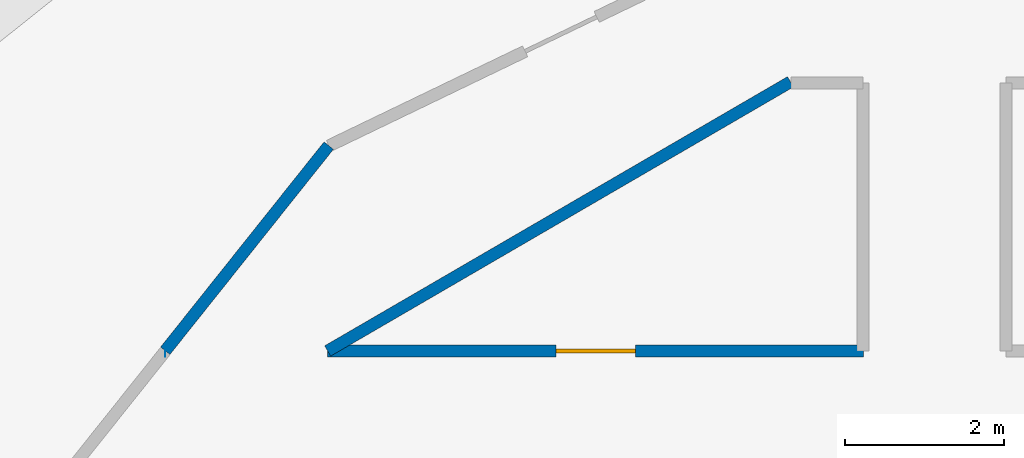
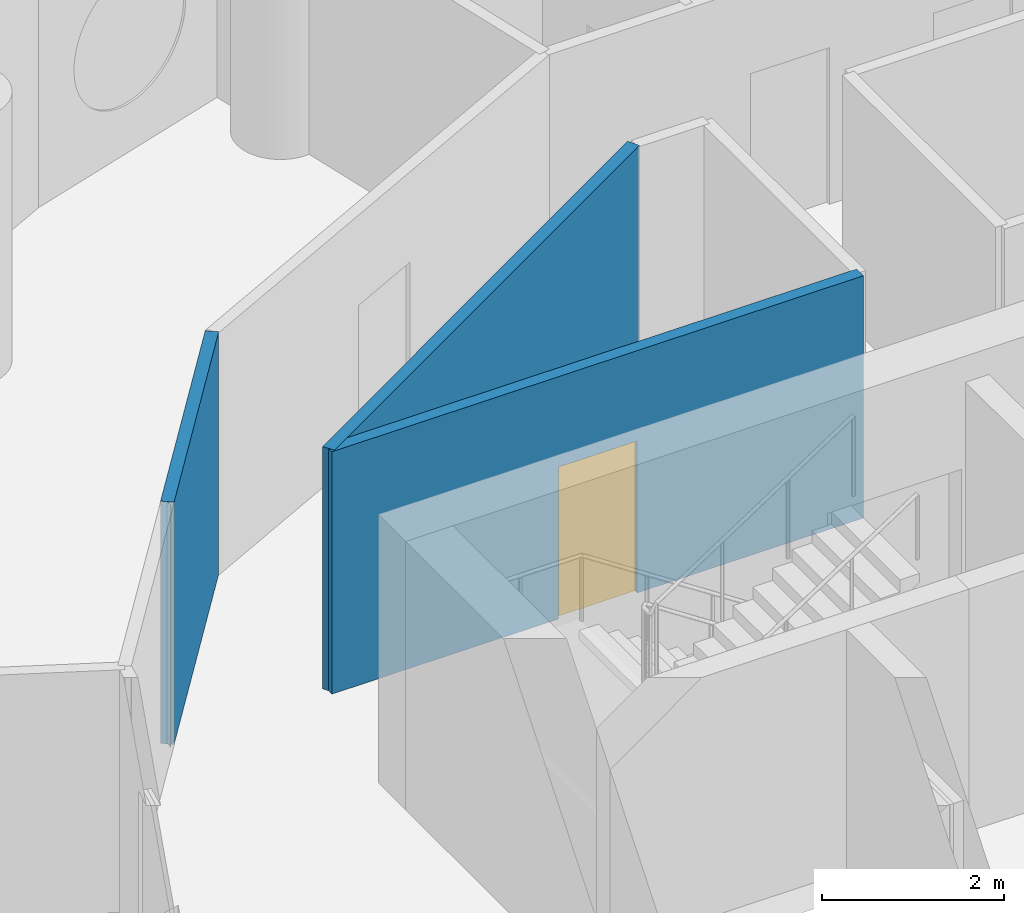
# One storey, part 6 of 12: 4 walls, 1 door, 1 opening.
"""IFC4 building model written with IfcOpenShell, lengths in metres."""

from ifc_helpers import new_model, si_unit, direction, frame, frame_2d, origin, place, context, subcontext, project, spatial, rectangle, extrude, material, layer, layer_set, type_object, element, fill, save


model = new_model("IFC4")

# Units and contexts
model_context = context("Model", 3, precision=1e-05, world=origin(), true_north=direction((0.0, 1.0)))
body_context = subcontext(model_context, "Body", "Model", "MODEL_VIEW")
ifc_project = project(units=[si_unit("LENGTHUNIT", "METRE"), si_unit("AREAUNIT", "SQUARE_METRE"), si_unit("VOLUMEUNIT", "CUBIC_METRE"), si_unit("PLANEANGLEUNIT", "RADIAN"), si_unit("MASSUNIT", "GRAM", prefix="KILO")], contexts=[model_context])

# Site, building, storey
site_placement = place(None, origin())
site = spatial("IfcSite", under=ifc_project, at=site_placement, CompositionType="ELEMENT")
building_placement = place(site_placement, origin())
building = spatial("IfcBuilding", under=site, at=building_placement, Name="Tracery Tower", CompositionType="ELEMENT")
storey_placement = place(building_placement, frame((0.0, 0.0, 249.0)))
storey = spatial("IfcBuildingStorey", under=building, at=storey_placement, Name="L64", CompositionType="ELEMENT", Elevation=249.0)

# Wall
ifc_material_1 = material(Name="Plasterboard on steel studs", Category="steel")
ifc_layer = layer(ifc_material_1, 0.14990234375)
ifc_layer_set = layer_set([ifc_layer], Name="Partition 150 corridor wall")
wall_type = type_object("IfcWallType", Name="Partition 150 corridor wall", PredefinedType="PARTITIONING", material=ifc_layer_set)
wall_1_placement = place(storey_placement, frame((-9.092041015625, 8.800048828125, 0.0), z_axis=(0.0, 0.0, 1.0), x_axis=(0.864470922103, 0.502682827277, 0.0)))
element("IfcWall", 1, at=wall_1_placement, inside=storey, type_object=wall_type, Name="Corridor wall RC2-001", PredefinedType="PARTITIONING", context=body_context, shape_type="SweptSolid", body=[
    extrude(rectangle(XDim=6.7353515625, YDim=0.14990234375, at=frame_2d((3.36767578125, 0.0))), origin(), (0.0, 0.0, 1.0), 3.25),
])

# Wall, opening, door
wall_2_placement = place(storey_placement, frame((-9.092041015625, 8.800048828125, 0.0), z_axis=(0.0, 0.0, 1.0), x_axis=(1.0, 0.0, 0.0)))
wall_2 = element("IfcWall", 2, at=wall_2_placement, inside=storey, type_object=wall_type, Name="Corridor wall RC2-002", PredefinedType="PARTITIONING", context=body_context, shape_type="SweptSolid", body=[
    extrude(rectangle(XDim=6.739990234375, YDim=0.14990234375, at=frame_2d((3.3701171875, 0.0))), origin(), (0.0, 0.0, 1.0), 3.25),
])
opening_placement = place(wall_2_placement, frame((2.8701171875, 0.0, 0.0)))
opening = element("IfcOpeningElement", 3, at=opening_placement, cuts=wall_2, Name="Opening RC2-01", PredefinedType="OPENING", context=body_context, shape_type="SweptSolid", body=[
    extrude(rectangle(XDim=1.0, YDim=2.0400390625, at=frame_2d((0.5, 1.02001953125))), frame((0.0, 0.074951171875, 0.0), z_axis=(0.0, -1.0, 0.0), x_axis=(1.0, 0.0, 0.0)), (0.0, 0.0, 1.0), 0.14990234375),
])
ifc_material_2 = material(Name="Timber door leaf", Category="wood")
door_type = type_object("IfcDoorType", Name="Door communal room 1000", OperationType="NOTDEFINED", PredefinedType="DOOR", material=ifc_material_2)
door_placement = place(opening_placement, origin())
door = element("IfcDoor", 4, at=door_placement, inside=storey, type_object=door_type, Name="Communal room door RC2-01", OperationType="SINGLE_SWING_RIGHT", OverallHeight=2.0400390625, OverallWidth=1.0, PredefinedType="DOOR", context=body_context, shape_type="SweptSolid", body=[
    extrude(rectangle(XDim=1.0, YDim=2.0400390625, at=frame_2d((0.5, 1.02001953125))), frame((0.0, 0.02490234375, 0.0), z_axis=(0.0, -1.0, 0.0), x_axis=(1.0, 0.0, 0.0)), (0.0, 0.0, 1.0), 0.050048828125),
])
fill(opening, door)

# Walls
wall_3_placement = place(storey_placement, frame((-11.134033203125, 8.800048828125, 0.0), z_axis=(0.0, 0.0, 1.0), x_axis=(-1.0, 0.0, 0.0)))
element("IfcWall", 5, at=wall_3_placement, inside=storey, type_object=wall_type, Name="Corridor wall RC2-009", PredefinedType="PARTITIONING", context=body_context, shape_type="SweptSolid", body=[
    extrude(rectangle(XDim=0.0029296875, YDim=0.14990234375, at=frame_2d((0.00146484375, 0.0))), origin(), (0.0, 0.0, 1.0), 3.25),
])
wall_4_placement = place(storey_placement, frame((-11.135986328125, 8.802001953125, 0.0), z_axis=(0.0, 0.0, 1.0), x_axis=(0.623151397235, 0.782101231379, 0.0)))
element("IfcWall", 6, at=wall_4_placement, inside=storey, type_object=wall_type, Name="Corridor wall RC2-010", PredefinedType="PARTITIONING", context=body_context, shape_type="SweptSolid", body=[
    extrude(rectangle(XDim=3.30078125, YDim=0.14990234375, at=frame_2d((1.650390625, 0.0))), origin(), (0.0, 0.0, 1.0), 3.25),
])

save(model, "model.ifc")
